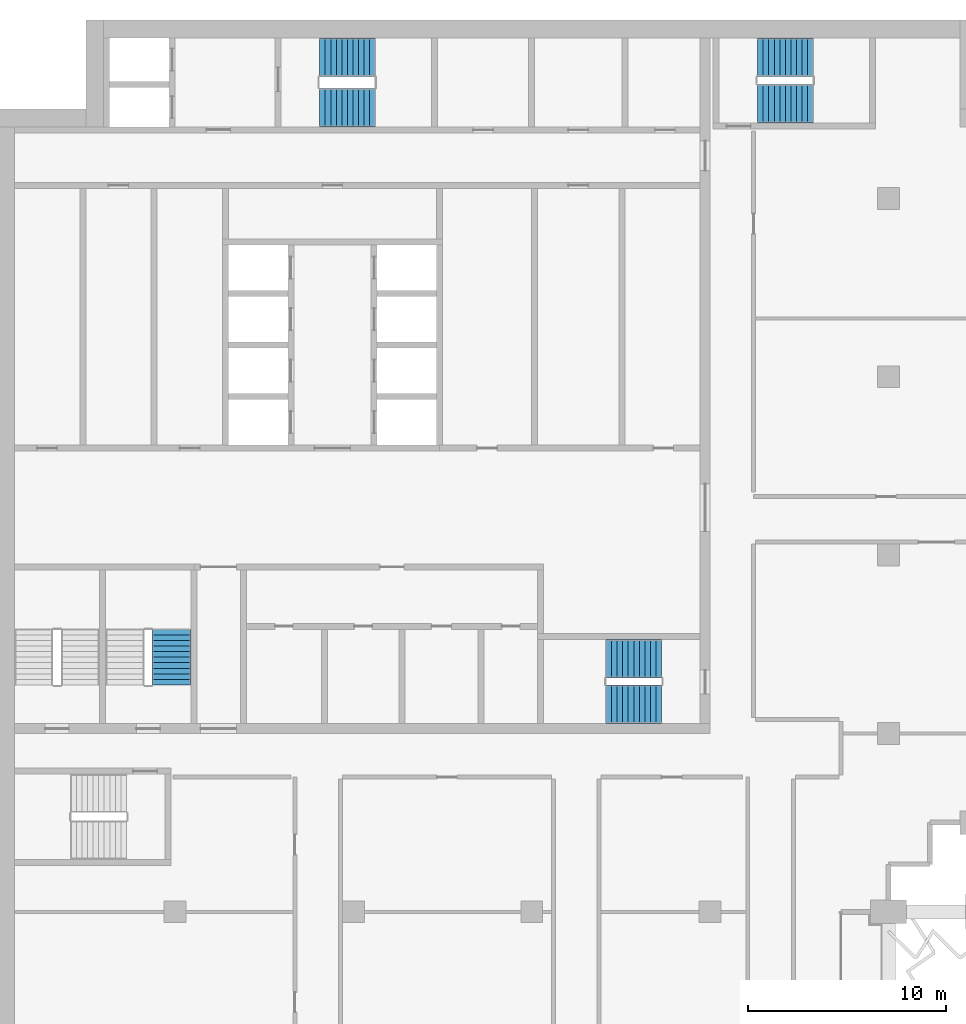
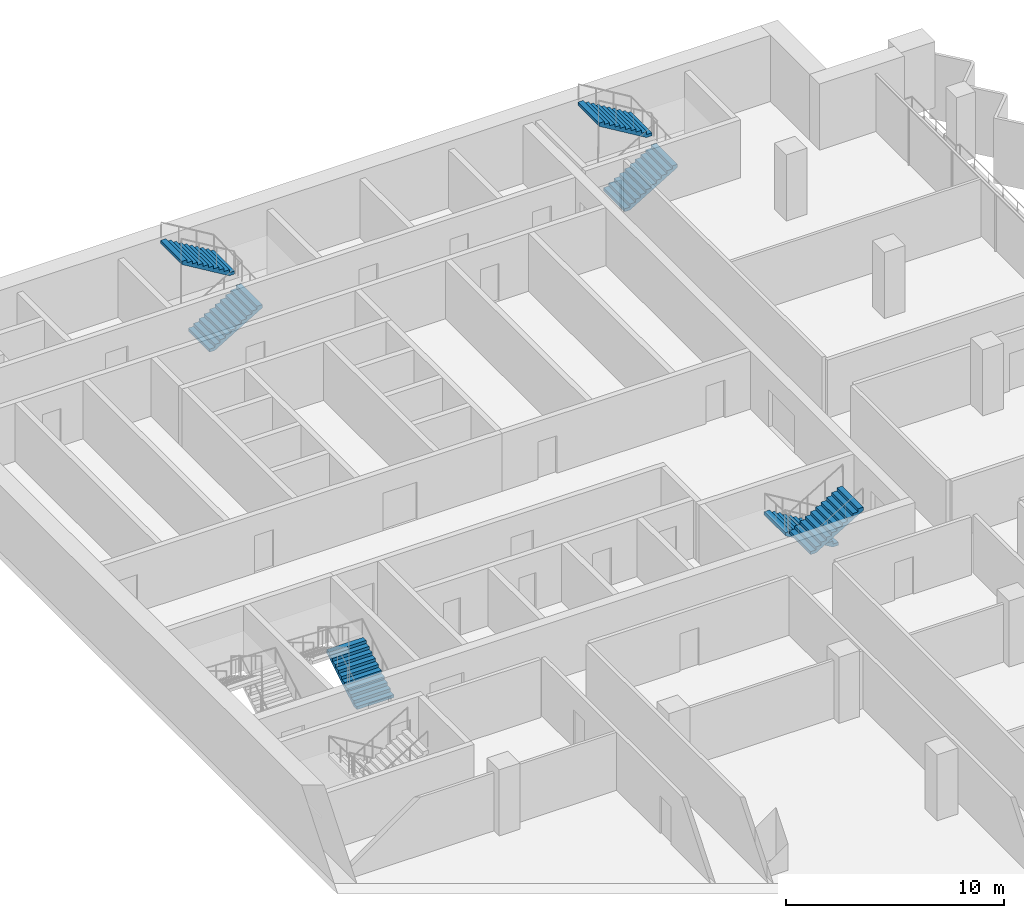
# One storey, part 14 of 18: 7 stair flights, 4 elements without a shape of their own.
"""IFC4 building model written with IfcOpenShell, lengths in metres."""

from ifc_helpers import new_model, si_unit, direction, frame, origin, place, context, subcontext, project, spatial, polyline, outline, extrude, material, type_object, element, aggregate, save


model = new_model("IFC4")

# Units and contexts
model_context = context("Model", 3, precision=1e-05, world=origin(), true_north=direction((0.0, 1.0)))
body_context = subcontext(model_context, "Body", "Model", "MODEL_VIEW")
ifc_project = project(units=[si_unit("LENGTHUNIT", "METRE"), si_unit("AREAUNIT", "SQUARE_METRE"), si_unit("VOLUMEUNIT", "CUBIC_METRE"), si_unit("PLANEANGLEUNIT", "RADIAN"), si_unit("MASSUNIT", "GRAM", prefix="KILO")], contexts=[model_context])

# Site, building, storey
site_placement = place(None, origin())
site = spatial("IfcSite", under=ifc_project, at=site_placement, CompositionType="ELEMENT")
building_placement = place(site_placement, origin())
building = spatial("IfcBuilding", under=site, at=building_placement, Name="Hunhe Ridgeline Campus", CompositionType="ELEMENT")
storey_placement = place(building_placement, frame((0.0, 0.0, 223.5)))
storey = spatial("IfcBuildingStorey", under=building, at=storey_placement, Name="L57", CompositionType="ELEMENT", Elevation=223.5)

# Stair, stair flights
ifc_material = material(Name="Concrete C40", Category="concrete")
stair_type = type_object("IfcStairType", Name="Reinforced concrete dog-leg stair 1950 Concrete C40", PredefinedType="HALF_TURN_STAIR", material=ifc_material)
stair_1_placement = place(storey_placement, origin())
stair_1 = element("IfcStair", 1, at=stair_1_placement, inside=storey, type_object=stair_type, Name="L57 S1", PredefinedType="HALF_TURN_STAIR")
stair_flight_type = type_object("IfcStairFlightType", Name="Reinforced concrete stair flight 1950 Concrete C40", PredefinedType="STRAIGHT", material=ifc_material)
stair_flight_1_placement = place(storey_placement, frame((16.300048828125, 94.574951171875, 0.0), z_axis=(0.0, 0.0, 1.0), x_axis=(1.0, 0.0, 0.0)))
stair_flight_1 = element("IfcStairFlight", 2, at=stair_flight_1_placement, type_object=stair_flight_type, Name="ST1 flight 1", NumberOfRisers=11, NumberOfTreads=10, PredefinedType="STRAIGHT", RiserHeight=0.168181818, TreadLength=0.28, context=body_context, shape_type="SweptSolid", body=[
    extrude(outline(polyline([(0.0, 0.0), (0.0, 0.168212890625), (0.280029296875, 0.168212890625), (0.280029296875, 0.33642578125), (0.56005859375, 0.33642578125), (0.56005859375, 0.504638671875), (0.840087890625, 0.504638671875), (0.840087890625, 0.672607421875), (1.1201171875, 0.672607421875), (1.1201171875, 0.8408203125), (1.39990234375, 0.8408203125), (1.39990234375, 1.009033203125), (1.679931640625, 1.009033203125), (1.679931640625, 1.17724609375), (1.9599609375, 1.17724609375), (1.9599609375, 1.345458984375), (2.239990234375, 1.345458984375), (2.239990234375, 1.513671875), (2.52001953125, 1.513671875), (2.52001953125, 1.681884765625), (2.800048828125, 1.681884765625), (2.800048828125, 1.85009765625), (2.800048828125, 1.5068359375), (0.291015625, 0.0), (0.0, 0.0)])), frame((0.0, 0.97509765625, 0.0), z_axis=(0.0, -1.0, 0.0), x_axis=(1.0, 0.0, 0.0)), (0.0, 0.0, 1.0), 1.949951171875),
    extrude(outline(polyline([(0.030029296875, 0.030029296875), (0.030029296875, 0.13818359375), (0.31005859375, 0.13818359375), (0.31005859375, 0.306396484375), (0.590087890625, 0.306396484375), (0.590087890625, 0.474609375), (0.8701171875, 0.474609375), (0.8701171875, 0.642578125), (1.14990234375, 0.642578125), (1.14990234375, 0.810791015625), (1.429931640625, 0.810791015625), (1.429931640625, 0.97900390625), (1.7099609375, 0.97900390625), (1.7099609375, 1.147216796875), (1.989990234375, 1.147216796875), (1.989990234375, 1.3154296875), (2.27001953125, 1.3154296875), (2.27001953125, 1.483642578125), (2.550048828125, 1.483642578125), (2.550048828125, 1.65185546875), (2.77001953125, 1.65185546875), (2.77001953125, 1.52392578125), (0.28271484375, 0.030029296875), (0.030029296875, 0.030029296875)])), frame((0.0, -0.070068359375, 0.0), z_axis=(0.0, -1.0, 0.0), x_axis=(1.0, 0.0, 0.0)), (0.0, 0.0, 1.0), 0.019775390625),
    extrude(outline(polyline([(0.030029296875, 0.030029296875), (0.030029296875, 0.13818359375), (0.31005859375, 0.13818359375), (0.31005859375, 0.306396484375), (0.590087890625, 0.306396484375), (0.590087890625, 0.474609375), (0.8701171875, 0.474609375), (0.8701171875, 0.642578125), (1.14990234375, 0.642578125), (1.14990234375, 0.810791015625), (1.429931640625, 0.810791015625), (1.429931640625, 0.97900390625), (1.7099609375, 0.97900390625), (1.7099609375, 1.147216796875), (1.989990234375, 1.147216796875), (1.989990234375, 1.3154296875), (2.27001953125, 1.3154296875), (2.27001953125, 1.483642578125), (2.550048828125, 1.483642578125), (2.550048828125, 1.65185546875), (2.77001953125, 1.65185546875), (2.77001953125, 1.52392578125), (0.28271484375, 0.030029296875), (0.030029296875, 0.030029296875)])), frame((0.0, 0.010009765625, 0.0), z_axis=(0.0, -1.0, 0.0), x_axis=(1.0, 0.0, 0.0)), (0.0, 0.0, 1.0), 0.019775390625),
    extrude(outline(polyline([(0.030029296875, 0.030029296875), (0.030029296875, 0.13818359375), (0.31005859375, 0.13818359375), (0.31005859375, 0.306396484375), (0.590087890625, 0.306396484375), (0.590087890625, 0.474609375), (0.8701171875, 0.474609375), (0.8701171875, 0.642578125), (1.14990234375, 0.642578125), (1.14990234375, 0.810791015625), (1.429931640625, 0.810791015625), (1.429931640625, 0.97900390625), (1.7099609375, 0.97900390625), (1.7099609375, 1.147216796875), (1.989990234375, 1.147216796875), (1.989990234375, 1.3154296875), (2.27001953125, 1.3154296875), (2.27001953125, 1.483642578125), (2.550048828125, 1.483642578125), (2.550048828125, 1.65185546875), (2.77001953125, 1.65185546875), (2.77001953125, 1.52392578125), (0.28271484375, 0.030029296875), (0.030029296875, 0.030029296875)])), frame((0.0, 0.090087890625, 0.0), z_axis=(0.0, -1.0, 0.0), x_axis=(1.0, 0.0, 0.0)), (0.0, 0.0, 1.0), 0.019775390625),
])
stair_flight_2_placement = place(storey_placement, frame((19.10009765625, 97.125, 1.85009765625), z_axis=(0.0, 0.0, 1.0), x_axis=(-1.0, 0.0, 0.0)))
stair_flight_2 = element("IfcStairFlight", 3, at=stair_flight_2_placement, type_object=stair_flight_type, Name="ST1 flight 2", NumberOfRisers=11, NumberOfTreads=10, PredefinedType="STRAIGHT", RiserHeight=0.168181818, TreadLength=0.28, context=body_context, shape_type="SweptSolid", body=[
    extrude(outline(polyline([(0.0, 0.0), (0.0, 0.168212890625), (0.280029296875, 0.168212890625), (0.280029296875, 0.33642578125), (0.56005859375, 0.33642578125), (0.56005859375, 0.504638671875), (0.840087890625, 0.504638671875), (0.840087890625, 0.672607421875), (1.1201171875, 0.672607421875), (1.1201171875, 0.8408203125), (1.39990234375, 0.8408203125), (1.39990234375, 1.009033203125), (1.679931640625, 1.009033203125), (1.679931640625, 1.17724609375), (1.9599609375, 1.17724609375), (1.9599609375, 1.345458984375), (2.239990234375, 1.345458984375), (2.239990234375, 1.513671875), (2.52001953125, 1.513671875), (2.52001953125, 1.681884765625), (2.800048828125, 1.681884765625), (2.800048828125, 1.85009765625), (2.800048828125, 1.5068359375), (0.291015625, 0.0), (0.0, 0.0)])), frame((0.0, 0.97509765625, 0.0), z_axis=(0.0, -1.0, 0.0), x_axis=(1.0, 0.0, 0.0)), (0.0, 0.0, 1.0), 1.949951171875),
    extrude(outline(polyline([(0.030029296875, 0.030029296875), (0.030029296875, 0.13818359375), (0.31005859375, 0.13818359375), (0.31005859375, 0.306396484375), (0.590087890625, 0.306396484375), (0.590087890625, 0.474609375), (0.8701171875, 0.474609375), (0.8701171875, 0.642578125), (1.14990234375, 0.642578125), (1.14990234375, 0.810791015625), (1.429931640625, 0.810791015625), (1.429931640625, 0.97900390625), (1.7099609375, 0.97900390625), (1.7099609375, 1.147216796875), (1.989990234375, 1.147216796875), (1.989990234375, 1.3154296875), (2.27001953125, 1.3154296875), (2.27001953125, 1.483642578125), (2.550048828125, 1.483642578125), (2.550048828125, 1.65185546875), (2.77001953125, 1.65185546875), (2.77001953125, 1.52392578125), (0.28271484375, 0.030029296875), (0.030029296875, 0.030029296875)])), frame((0.0, -0.070068359375, 0.0), z_axis=(0.0, -1.0, 0.0), x_axis=(1.0, 0.0, 0.0)), (0.0, 0.0, 1.0), 0.019775390625),
    extrude(outline(polyline([(0.030029296875, 0.030029296875), (0.030029296875, 0.13818359375), (0.31005859375, 0.13818359375), (0.31005859375, 0.306396484375), (0.590087890625, 0.306396484375), (0.590087890625, 0.474609375), (0.8701171875, 0.474609375), (0.8701171875, 0.642578125), (1.14990234375, 0.642578125), (1.14990234375, 0.810791015625), (1.429931640625, 0.810791015625), (1.429931640625, 0.97900390625), (1.7099609375, 0.97900390625), (1.7099609375, 1.147216796875), (1.989990234375, 1.147216796875), (1.989990234375, 1.3154296875), (2.27001953125, 1.3154296875), (2.27001953125, 1.483642578125), (2.550048828125, 1.483642578125), (2.550048828125, 1.65185546875), (2.77001953125, 1.65185546875), (2.77001953125, 1.52392578125), (0.28271484375, 0.030029296875), (0.030029296875, 0.030029296875)])), frame((0.0, 0.010009765625, 0.0), z_axis=(0.0, -1.0, 0.0), x_axis=(1.0, 0.0, 0.0)), (0.0, 0.0, 1.0), 0.019775390625),
    extrude(outline(polyline([(0.030029296875, 0.030029296875), (0.030029296875, 0.13818359375), (0.31005859375, 0.13818359375), (0.31005859375, 0.306396484375), (0.590087890625, 0.306396484375), (0.590087890625, 0.474609375), (0.8701171875, 0.474609375), (0.8701171875, 0.642578125), (1.14990234375, 0.642578125), (1.14990234375, 0.810791015625), (1.429931640625, 0.810791015625), (1.429931640625, 0.97900390625), (1.7099609375, 0.97900390625), (1.7099609375, 1.147216796875), (1.989990234375, 1.147216796875), (1.989990234375, 1.3154296875), (2.27001953125, 1.3154296875), (2.27001953125, 1.483642578125), (2.550048828125, 1.483642578125), (2.550048828125, 1.65185546875), (2.77001953125, 1.65185546875), (2.77001953125, 1.52392578125), (0.28271484375, 0.030029296875), (0.030029296875, 0.030029296875)])), frame((0.0, 0.090087890625, 0.0), z_axis=(0.0, -1.0, 0.0), x_axis=(1.0, 0.0, 0.0)), (0.0, 0.0, 1.0), 0.019775390625),
])
aggregate(stair_1, [stair_flight_1, stair_flight_2])

stair_2_placement = place(storey_placement, origin())
stair_2 = element("IfcStair", 4, at=stair_2_placement, inside=storey, type_object=stair_type, Name="L57 S2", PredefinedType="HALF_TURN_STAIR")
stair_flight_3_placement = place(storey_placement, frame((33.550048828125, 66.77490234375, 0.0), z_axis=(0.0, 0.0, 1.0), x_axis=(-1.0, 0.0, 0.0)))
stair_flight_3 = element("IfcStairFlight", 5, at=stair_flight_3_placement, type_object=stair_flight_type, Name="ST2 flight 1", NumberOfRisers=11, NumberOfTreads=10, PredefinedType="STRAIGHT", RiserHeight=0.168181818, TreadLength=0.28, context=body_context, shape_type="SweptSolid", body=[
    extrude(outline(polyline([(0.0, 0.0), (0.0, 0.168212890625), (0.280029296875, 0.168212890625), (0.280029296875, 0.33642578125), (0.56005859375, 0.33642578125), (0.56005859375, 0.504638671875), (0.840087890625, 0.504638671875), (0.840087890625, 0.672607421875), (1.1201171875, 0.672607421875), (1.1201171875, 0.8408203125), (1.39990234375, 0.8408203125), (1.39990234375, 1.009033203125), (1.679931640625, 1.009033203125), (1.679931640625, 1.17724609375), (1.9599609375, 1.17724609375), (1.9599609375, 1.345458984375), (2.239990234375, 1.345458984375), (2.239990234375, 1.513671875), (2.52001953125, 1.513671875), (2.52001953125, 1.681884765625), (2.800048828125, 1.681884765625), (2.800048828125, 1.85009765625), (2.800048828125, 1.5068359375), (0.291015625, 0.0), (0.0, 0.0)])), frame((0.0, 0.97509765625, 0.0), z_axis=(0.0, -1.0, 0.0), x_axis=(1.0, 0.0, 0.0)), (0.0, 0.0, 1.0), 1.949951171875),
    extrude(outline(polyline([(0.030029296875, 0.030029296875), (0.030029296875, 0.13818359375), (0.31005859375, 0.13818359375), (0.31005859375, 0.306396484375), (0.590087890625, 0.306396484375), (0.590087890625, 0.474609375), (0.8701171875, 0.474609375), (0.8701171875, 0.642578125), (1.14990234375, 0.642578125), (1.14990234375, 0.810791015625), (1.429931640625, 0.810791015625), (1.429931640625, 0.97900390625), (1.7099609375, 0.97900390625), (1.7099609375, 1.147216796875), (1.989990234375, 1.147216796875), (1.989990234375, 1.3154296875), (2.27001953125, 1.3154296875), (2.27001953125, 1.483642578125), (2.550048828125, 1.483642578125), (2.550048828125, 1.65185546875), (2.77001953125, 1.65185546875), (2.77001953125, 1.52392578125), (0.28271484375, 0.030029296875), (0.030029296875, 0.030029296875)])), frame((0.0, -0.070068359375, 0.0), z_axis=(0.0, -1.0, 0.0), x_axis=(1.0, 0.0, 0.0)), (0.0, 0.0, 1.0), 0.019775390625),
    extrude(outline(polyline([(0.030029296875, 0.030029296875), (0.030029296875, 0.13818359375), (0.31005859375, 0.13818359375), (0.31005859375, 0.306396484375), (0.590087890625, 0.306396484375), (0.590087890625, 0.474609375), (0.8701171875, 0.474609375), (0.8701171875, 0.642578125), (1.14990234375, 0.642578125), (1.14990234375, 0.810791015625), (1.429931640625, 0.810791015625), (1.429931640625, 0.97900390625), (1.7099609375, 0.97900390625), (1.7099609375, 1.147216796875), (1.989990234375, 1.147216796875), (1.989990234375, 1.3154296875), (2.27001953125, 1.3154296875), (2.27001953125, 1.483642578125), (2.550048828125, 1.483642578125), (2.550048828125, 1.65185546875), (2.77001953125, 1.65185546875), (2.77001953125, 1.52392578125), (0.28271484375, 0.030029296875), (0.030029296875, 0.030029296875)])), frame((0.0, 0.010009765625, 0.0), z_axis=(0.0, -1.0, 0.0), x_axis=(1.0, 0.0, 0.0)), (0.0, 0.0, 1.0), 0.019775390625),
    extrude(outline(polyline([(0.030029296875, 0.030029296875), (0.030029296875, 0.13818359375), (0.31005859375, 0.13818359375), (0.31005859375, 0.306396484375), (0.590087890625, 0.306396484375), (0.590087890625, 0.474609375), (0.8701171875, 0.474609375), (0.8701171875, 0.642578125), (1.14990234375, 0.642578125), (1.14990234375, 0.810791015625), (1.429931640625, 0.810791015625), (1.429931640625, 0.97900390625), (1.7099609375, 0.97900390625), (1.7099609375, 1.147216796875), (1.989990234375, 1.147216796875), (1.989990234375, 1.3154296875), (2.27001953125, 1.3154296875), (2.27001953125, 1.483642578125), (2.550048828125, 1.483642578125), (2.550048828125, 1.65185546875), (2.77001953125, 1.65185546875), (2.77001953125, 1.52392578125), (0.28271484375, 0.030029296875), (0.030029296875, 0.030029296875)])), frame((0.0, 0.090087890625, 0.0), z_axis=(0.0, -1.0, 0.0), x_axis=(1.0, 0.0, 0.0)), (0.0, 0.0, 1.0), 0.019775390625),
])
stair_flight_4_placement = place(storey_placement, frame((30.75, 64.47509765625, 1.85009765625), z_axis=(0.0, 0.0, 1.0), x_axis=(1.0, 0.0, 0.0)))
stair_flight_4 = element("IfcStairFlight", 6, at=stair_flight_4_placement, type_object=stair_flight_type, Name="ST2 flight 2", NumberOfRisers=11, NumberOfTreads=10, PredefinedType="STRAIGHT", RiserHeight=0.168181818, TreadLength=0.28, context=body_context, shape_type="SweptSolid", body=[
    extrude(outline(polyline([(0.0, 0.0), (0.0, 0.168212890625), (0.280029296875, 0.168212890625), (0.280029296875, 0.33642578125), (0.56005859375, 0.33642578125), (0.56005859375, 0.504638671875), (0.840087890625, 0.504638671875), (0.840087890625, 0.672607421875), (1.1201171875, 0.672607421875), (1.1201171875, 0.8408203125), (1.39990234375, 0.8408203125), (1.39990234375, 1.009033203125), (1.679931640625, 1.009033203125), (1.679931640625, 1.17724609375), (1.9599609375, 1.17724609375), (1.9599609375, 1.345458984375), (2.239990234375, 1.345458984375), (2.239990234375, 1.513671875), (2.52001953125, 1.513671875), (2.52001953125, 1.681884765625), (2.800048828125, 1.681884765625), (2.800048828125, 1.85009765625), (2.800048828125, 1.5068359375), (0.291015625, 0.0), (0.0, 0.0)])), frame((0.0, 0.97509765625, 0.0), z_axis=(0.0, -1.0, 0.0), x_axis=(1.0, 0.0, 0.0)), (0.0, 0.0, 1.0), 1.949951171875),
    extrude(outline(polyline([(0.030029296875, 0.030029296875), (0.030029296875, 0.13818359375), (0.31005859375, 0.13818359375), (0.31005859375, 0.306396484375), (0.590087890625, 0.306396484375), (0.590087890625, 0.474609375), (0.8701171875, 0.474609375), (0.8701171875, 0.642578125), (1.14990234375, 0.642578125), (1.14990234375, 0.810791015625), (1.429931640625, 0.810791015625), (1.429931640625, 0.97900390625), (1.7099609375, 0.97900390625), (1.7099609375, 1.147216796875), (1.989990234375, 1.147216796875), (1.989990234375, 1.3154296875), (2.27001953125, 1.3154296875), (2.27001953125, 1.483642578125), (2.550048828125, 1.483642578125), (2.550048828125, 1.65185546875), (2.77001953125, 1.65185546875), (2.77001953125, 1.52392578125), (0.28271484375, 0.030029296875), (0.030029296875, 0.030029296875)])), frame((0.0, -0.070068359375, 0.0), z_axis=(0.0, -1.0, 0.0), x_axis=(1.0, 0.0, 0.0)), (0.0, 0.0, 1.0), 0.019775390625),
    extrude(outline(polyline([(0.030029296875, 0.030029296875), (0.030029296875, 0.13818359375), (0.31005859375, 0.13818359375), (0.31005859375, 0.306396484375), (0.590087890625, 0.306396484375), (0.590087890625, 0.474609375), (0.8701171875, 0.474609375), (0.8701171875, 0.642578125), (1.14990234375, 0.642578125), (1.14990234375, 0.810791015625), (1.429931640625, 0.810791015625), (1.429931640625, 0.97900390625), (1.7099609375, 0.97900390625), (1.7099609375, 1.147216796875), (1.989990234375, 1.147216796875), (1.989990234375, 1.3154296875), (2.27001953125, 1.3154296875), (2.27001953125, 1.483642578125), (2.550048828125, 1.483642578125), (2.550048828125, 1.65185546875), (2.77001953125, 1.65185546875), (2.77001953125, 1.52392578125), (0.28271484375, 0.030029296875), (0.030029296875, 0.030029296875)])), frame((0.0, 0.010009765625, 0.0), z_axis=(0.0, -1.0, 0.0), x_axis=(1.0, 0.0, 0.0)), (0.0, 0.0, 1.0), 0.019775390625),
    extrude(outline(polyline([(0.030029296875, 0.030029296875), (0.030029296875, 0.13818359375), (0.31005859375, 0.13818359375), (0.31005859375, 0.306396484375), (0.590087890625, 0.306396484375), (0.590087890625, 0.474609375), (0.8701171875, 0.474609375), (0.8701171875, 0.642578125), (1.14990234375, 0.642578125), (1.14990234375, 0.810791015625), (1.429931640625, 0.810791015625), (1.429931640625, 0.97900390625), (1.7099609375, 0.97900390625), (1.7099609375, 1.147216796875), (1.989990234375, 1.147216796875), (1.989990234375, 1.3154296875), (2.27001953125, 1.3154296875), (2.27001953125, 1.483642578125), (2.550048828125, 1.483642578125), (2.550048828125, 1.65185546875), (2.77001953125, 1.65185546875), (2.77001953125, 1.52392578125), (0.28271484375, 0.030029296875), (0.030029296875, 0.030029296875)])), frame((0.0, 0.090087890625, 0.0), z_axis=(0.0, -1.0, 0.0), x_axis=(1.0, 0.0, 0.0)), (0.0, 0.0, 1.0), 0.019775390625),
])
aggregate(stair_2, [stair_flight_3, stair_flight_4])

# Stair, stair flight
stair_3_placement = place(storey_placement, origin())
stair_3 = element("IfcStair", 7, at=stair_3_placement, inside=storey, type_object=stair_type, Name="L57 S4", PredefinedType="HALF_TURN_STAIR")
stair_flight_5_placement = place(storey_placement, frame((8.824951171875, 65.449951171875, 0.0), z_axis=(0.0, 0.0, 1.0), x_axis=(0.0, 1.0, 0.0)))
stair_flight_5 = element("IfcStairFlight", 8, at=stair_flight_5_placement, type_object=stair_flight_type, Name="ST4 flight 1", NumberOfRisers=11, NumberOfTreads=10, PredefinedType="STRAIGHT", RiserHeight=0.168181818, TreadLength=0.28, context=body_context, shape_type="SweptSolid", body=[
    extrude(outline(polyline([(0.0, 0.0), (0.0, 0.168212890625), (0.280029296875, 0.168212890625), (0.280029296875, 0.33642578125), (0.56005859375, 0.33642578125), (0.56005859375, 0.504638671875), (0.840087890625, 0.504638671875), (0.840087890625, 0.672607421875), (1.1201171875, 0.672607421875), (1.1201171875, 0.8408203125), (1.39990234375, 0.8408203125), (1.39990234375, 1.009033203125), (1.679931640625, 1.009033203125), (1.679931640625, 1.17724609375), (1.9599609375, 1.17724609375), (1.9599609375, 1.345458984375), (2.239990234375, 1.345458984375), (2.239990234375, 1.513671875), (2.52001953125, 1.513671875), (2.52001953125, 1.681884765625), (2.800048828125, 1.681884765625), (2.800048828125, 1.85009765625), (2.800048828125, 1.5068359375), (0.291015625, 0.0), (0.0, 0.0)])), frame((0.0, 0.97509765625, 0.0), z_axis=(0.0, -1.0, 0.0), x_axis=(1.0, 0.0, 0.0)), (0.0, 0.0, 1.0), 1.949951171875),
    extrude(outline(polyline([(0.030029296875, 0.030029296875), (0.030029296875, 0.13818359375), (0.31005859375, 0.13818359375), (0.31005859375, 0.306396484375), (0.590087890625, 0.306396484375), (0.590087890625, 0.474609375), (0.8701171875, 0.474609375), (0.8701171875, 0.642578125), (1.14990234375, 0.642578125), (1.14990234375, 0.810791015625), (1.429931640625, 0.810791015625), (1.429931640625, 0.97900390625), (1.7099609375, 0.97900390625), (1.7099609375, 1.147216796875), (1.989990234375, 1.147216796875), (1.989990234375, 1.3154296875), (2.27001953125, 1.3154296875), (2.27001953125, 1.483642578125), (2.550048828125, 1.483642578125), (2.550048828125, 1.65185546875), (2.77001953125, 1.65185546875), (2.77001953125, 1.52392578125), (0.28271484375, 0.030029296875), (0.030029296875, 0.030029296875)])), frame((0.0, -0.070068359375, 0.0), z_axis=(0.0, -1.0, 0.0), x_axis=(1.0, 0.0, 0.0)), (0.0, 0.0, 1.0), 0.019775390625),
    extrude(outline(polyline([(0.030029296875, 0.030029296875), (0.030029296875, 0.13818359375), (0.31005859375, 0.13818359375), (0.31005859375, 0.306396484375), (0.590087890625, 0.306396484375), (0.590087890625, 0.474609375), (0.8701171875, 0.474609375), (0.8701171875, 0.642578125), (1.14990234375, 0.642578125), (1.14990234375, 0.810791015625), (1.429931640625, 0.810791015625), (1.429931640625, 0.97900390625), (1.7099609375, 0.97900390625), (1.7099609375, 1.147216796875), (1.989990234375, 1.147216796875), (1.989990234375, 1.3154296875), (2.27001953125, 1.3154296875), (2.27001953125, 1.483642578125), (2.550048828125, 1.483642578125), (2.550048828125, 1.65185546875), (2.77001953125, 1.65185546875), (2.77001953125, 1.52392578125), (0.28271484375, 0.030029296875), (0.030029296875, 0.030029296875)])), frame((0.0, 0.010009765625, 0.0), z_axis=(0.0, -1.0, 0.0), x_axis=(1.0, 0.0, 0.0)), (0.0, 0.0, 1.0), 0.019775390625),
    extrude(outline(polyline([(0.030029296875, 0.030029296875), (0.030029296875, 0.13818359375), (0.31005859375, 0.13818359375), (0.31005859375, 0.306396484375), (0.590087890625, 0.306396484375), (0.590087890625, 0.474609375), (0.8701171875, 0.474609375), (0.8701171875, 0.642578125), (1.14990234375, 0.642578125), (1.14990234375, 0.810791015625), (1.429931640625, 0.810791015625), (1.429931640625, 0.97900390625), (1.7099609375, 0.97900390625), (1.7099609375, 1.147216796875), (1.989990234375, 1.147216796875), (1.989990234375, 1.3154296875), (2.27001953125, 1.3154296875), (2.27001953125, 1.483642578125), (2.550048828125, 1.483642578125), (2.550048828125, 1.65185546875), (2.77001953125, 1.65185546875), (2.77001953125, 1.52392578125), (0.28271484375, 0.030029296875), (0.030029296875, 0.030029296875)])), frame((0.0, 0.090087890625, 0.0), z_axis=(0.0, -1.0, 0.0), x_axis=(1.0, 0.0, 0.0)), (0.0, 0.0, 1.0), 0.019775390625),
])
aggregate(stair_3, [stair_flight_5])

# Stair, stair flights
stair_4_placement = place(storey_placement, origin())
stair_4 = element("IfcStair", 9, at=stair_4_placement, inside=storey, type_object=stair_type, Name="L57 E1", PredefinedType="HALF_TURN_STAIR")
stair_flight_6_placement = place(storey_placement, frame((38.39990234375, 94.77490234375, 0.0), z_axis=(0.0, 0.0, 1.0), x_axis=(1.0, 0.0, 0.0)))
stair_flight_6 = element("IfcStairFlight", 10, at=stair_flight_6_placement, type_object=stair_flight_type, Name="ST5 flight 1", NumberOfRisers=11, NumberOfTreads=10, PredefinedType="STRAIGHT", RiserHeight=0.168181818, TreadLength=0.28, context=body_context, shape_type="SweptSolid", body=[
    extrude(outline(polyline([(0.0, 0.0), (0.0, 0.168212890625), (0.280029296875, 0.168212890625), (0.280029296875, 0.33642578125), (0.56005859375, 0.33642578125), (0.56005859375, 0.504638671875), (0.840087890625, 0.504638671875), (0.840087890625, 0.672607421875), (1.1201171875, 0.672607421875), (1.1201171875, 0.8408203125), (1.39990234375, 0.8408203125), (1.39990234375, 1.009033203125), (1.679931640625, 1.009033203125), (1.679931640625, 1.17724609375), (1.9599609375, 1.17724609375), (1.9599609375, 1.345458984375), (2.239990234375, 1.345458984375), (2.239990234375, 1.513671875), (2.52001953125, 1.513671875), (2.52001953125, 1.681884765625), (2.800048828125, 1.681884765625), (2.800048828125, 1.85009765625), (2.800048828125, 1.5068359375), (0.291015625, 0.0), (0.0, 0.0)])), frame((0.0, 0.97509765625, 0.0), z_axis=(0.0, -1.0, 0.0), x_axis=(1.0, 0.0, 0.0)), (0.0, 0.0, 1.0), 1.949951171875),
    extrude(outline(polyline([(0.030029296875, 0.030029296875), (0.030029296875, 0.13818359375), (0.31005859375, 0.13818359375), (0.31005859375, 0.306396484375), (0.590087890625, 0.306396484375), (0.590087890625, 0.474609375), (0.8701171875, 0.474609375), (0.8701171875, 0.642578125), (1.14990234375, 0.642578125), (1.14990234375, 0.810791015625), (1.429931640625, 0.810791015625), (1.429931640625, 0.97900390625), (1.7099609375, 0.97900390625), (1.7099609375, 1.147216796875), (1.989990234375, 1.147216796875), (1.989990234375, 1.3154296875), (2.27001953125, 1.3154296875), (2.27001953125, 1.483642578125), (2.550048828125, 1.483642578125), (2.550048828125, 1.65185546875), (2.77001953125, 1.65185546875), (2.77001953125, 1.52392578125), (0.28271484375, 0.030029296875), (0.030029296875, 0.030029296875)])), frame((0.0, -0.070068359375, 0.0), z_axis=(0.0, -1.0, 0.0), x_axis=(1.0, 0.0, 0.0)), (0.0, 0.0, 1.0), 0.019775390625),
    extrude(outline(polyline([(0.030029296875, 0.030029296875), (0.030029296875, 0.13818359375), (0.31005859375, 0.13818359375), (0.31005859375, 0.306396484375), (0.590087890625, 0.306396484375), (0.590087890625, 0.474609375), (0.8701171875, 0.474609375), (0.8701171875, 0.642578125), (1.14990234375, 0.642578125), (1.14990234375, 0.810791015625), (1.429931640625, 0.810791015625), (1.429931640625, 0.97900390625), (1.7099609375, 0.97900390625), (1.7099609375, 1.147216796875), (1.989990234375, 1.147216796875), (1.989990234375, 1.3154296875), (2.27001953125, 1.3154296875), (2.27001953125, 1.483642578125), (2.550048828125, 1.483642578125), (2.550048828125, 1.65185546875), (2.77001953125, 1.65185546875), (2.77001953125, 1.52392578125), (0.28271484375, 0.030029296875), (0.030029296875, 0.030029296875)])), frame((0.0, 0.010009765625, 0.0), z_axis=(0.0, -1.0, 0.0), x_axis=(1.0, 0.0, 0.0)), (0.0, 0.0, 1.0), 0.019775390625),
    extrude(outline(polyline([(0.030029296875, 0.030029296875), (0.030029296875, 0.13818359375), (0.31005859375, 0.13818359375), (0.31005859375, 0.306396484375), (0.590087890625, 0.306396484375), (0.590087890625, 0.474609375), (0.8701171875, 0.474609375), (0.8701171875, 0.642578125), (1.14990234375, 0.642578125), (1.14990234375, 0.810791015625), (1.429931640625, 0.810791015625), (1.429931640625, 0.97900390625), (1.7099609375, 0.97900390625), (1.7099609375, 1.147216796875), (1.989990234375, 1.147216796875), (1.989990234375, 1.3154296875), (2.27001953125, 1.3154296875), (2.27001953125, 1.483642578125), (2.550048828125, 1.483642578125), (2.550048828125, 1.65185546875), (2.77001953125, 1.65185546875), (2.77001953125, 1.52392578125), (0.28271484375, 0.030029296875), (0.030029296875, 0.030029296875)])), frame((0.0, 0.090087890625, 0.0), z_axis=(0.0, -1.0, 0.0), x_axis=(1.0, 0.0, 0.0)), (0.0, 0.0, 1.0), 0.019775390625),
])
stair_flight_7_placement = place(storey_placement, frame((41.199951171875, 97.125, 1.85009765625), z_axis=(0.0, 0.0, 1.0), x_axis=(-1.0, 0.0, 0.0)))
stair_flight_7 = element("IfcStairFlight", 11, at=stair_flight_7_placement, type_object=stair_flight_type, Name="ST5 flight 2", NumberOfRisers=11, NumberOfTreads=10, PredefinedType="STRAIGHT", RiserHeight=0.168181818, TreadLength=0.28, context=body_context, shape_type="SweptSolid", body=[
    extrude(outline(polyline([(0.0, 0.0), (0.0, 0.168212890625), (0.280029296875, 0.168212890625), (0.280029296875, 0.33642578125), (0.56005859375, 0.33642578125), (0.56005859375, 0.504638671875), (0.840087890625, 0.504638671875), (0.840087890625, 0.672607421875), (1.1201171875, 0.672607421875), (1.1201171875, 0.8408203125), (1.39990234375, 0.8408203125), (1.39990234375, 1.009033203125), (1.679931640625, 1.009033203125), (1.679931640625, 1.17724609375), (1.9599609375, 1.17724609375), (1.9599609375, 1.345458984375), (2.239990234375, 1.345458984375), (2.239990234375, 1.513671875), (2.52001953125, 1.513671875), (2.52001953125, 1.681884765625), (2.800048828125, 1.681884765625), (2.800048828125, 1.85009765625), (2.800048828125, 1.5068359375), (0.291015625, 0.0), (0.0, 0.0)])), frame((0.0, 0.97509765625, 0.0), z_axis=(0.0, -1.0, 0.0), x_axis=(1.0, 0.0, 0.0)), (0.0, 0.0, 1.0), 1.949951171875),
    extrude(outline(polyline([(0.030029296875, 0.030029296875), (0.030029296875, 0.13818359375), (0.31005859375, 0.13818359375), (0.31005859375, 0.306396484375), (0.590087890625, 0.306396484375), (0.590087890625, 0.474609375), (0.8701171875, 0.474609375), (0.8701171875, 0.642578125), (1.14990234375, 0.642578125), (1.14990234375, 0.810791015625), (1.429931640625, 0.810791015625), (1.429931640625, 0.97900390625), (1.7099609375, 0.97900390625), (1.7099609375, 1.147216796875), (1.989990234375, 1.147216796875), (1.989990234375, 1.3154296875), (2.27001953125, 1.3154296875), (2.27001953125, 1.483642578125), (2.550048828125, 1.483642578125), (2.550048828125, 1.65185546875), (2.77001953125, 1.65185546875), (2.77001953125, 1.52392578125), (0.28271484375, 0.030029296875), (0.030029296875, 0.030029296875)])), frame((0.0, -0.070068359375, 0.0), z_axis=(0.0, -1.0, 0.0), x_axis=(1.0, 0.0, 0.0)), (0.0, 0.0, 1.0), 0.019775390625),
    extrude(outline(polyline([(0.030029296875, 0.030029296875), (0.030029296875, 0.13818359375), (0.31005859375, 0.13818359375), (0.31005859375, 0.306396484375), (0.590087890625, 0.306396484375), (0.590087890625, 0.474609375), (0.8701171875, 0.474609375), (0.8701171875, 0.642578125), (1.14990234375, 0.642578125), (1.14990234375, 0.810791015625), (1.429931640625, 0.810791015625), (1.429931640625, 0.97900390625), (1.7099609375, 0.97900390625), (1.7099609375, 1.147216796875), (1.989990234375, 1.147216796875), (1.989990234375, 1.3154296875), (2.27001953125, 1.3154296875), (2.27001953125, 1.483642578125), (2.550048828125, 1.483642578125), (2.550048828125, 1.65185546875), (2.77001953125, 1.65185546875), (2.77001953125, 1.52392578125), (0.28271484375, 0.030029296875), (0.030029296875, 0.030029296875)])), frame((0.0, 0.010009765625, 0.0), z_axis=(0.0, -1.0, 0.0), x_axis=(1.0, 0.0, 0.0)), (0.0, 0.0, 1.0), 0.019775390625),
    extrude(outline(polyline([(0.030029296875, 0.030029296875), (0.030029296875, 0.13818359375), (0.31005859375, 0.13818359375), (0.31005859375, 0.306396484375), (0.590087890625, 0.306396484375), (0.590087890625, 0.474609375), (0.8701171875, 0.474609375), (0.8701171875, 0.642578125), (1.14990234375, 0.642578125), (1.14990234375, 0.810791015625), (1.429931640625, 0.810791015625), (1.429931640625, 0.97900390625), (1.7099609375, 0.97900390625), (1.7099609375, 1.147216796875), (1.989990234375, 1.147216796875), (1.989990234375, 1.3154296875), (2.27001953125, 1.3154296875), (2.27001953125, 1.483642578125), (2.550048828125, 1.483642578125), (2.550048828125, 1.65185546875), (2.77001953125, 1.65185546875), (2.77001953125, 1.52392578125), (0.28271484375, 0.030029296875), (0.030029296875, 0.030029296875)])), frame((0.0, 0.090087890625, 0.0), z_axis=(0.0, -1.0, 0.0), x_axis=(1.0, 0.0, 0.0)), (0.0, 0.0, 1.0), 0.019775390625),
])
aggregate(stair_4, [stair_flight_6, stair_flight_7])

save(model, "model.ifc")
